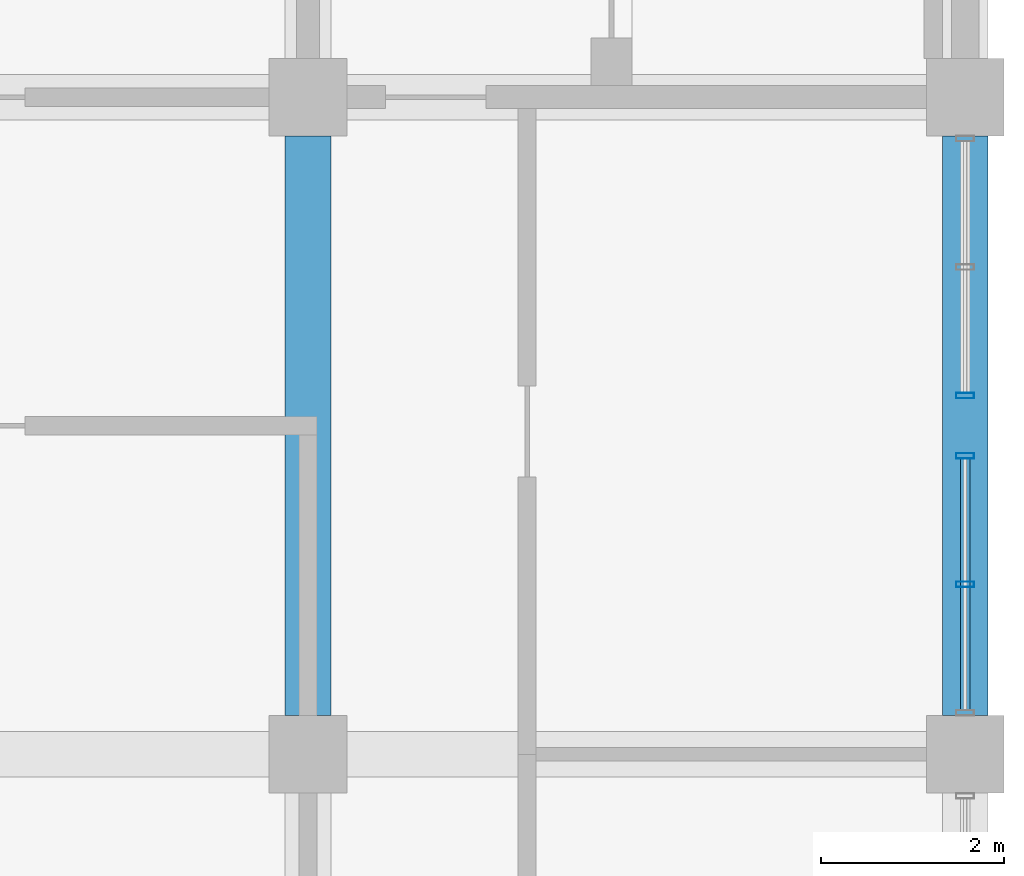
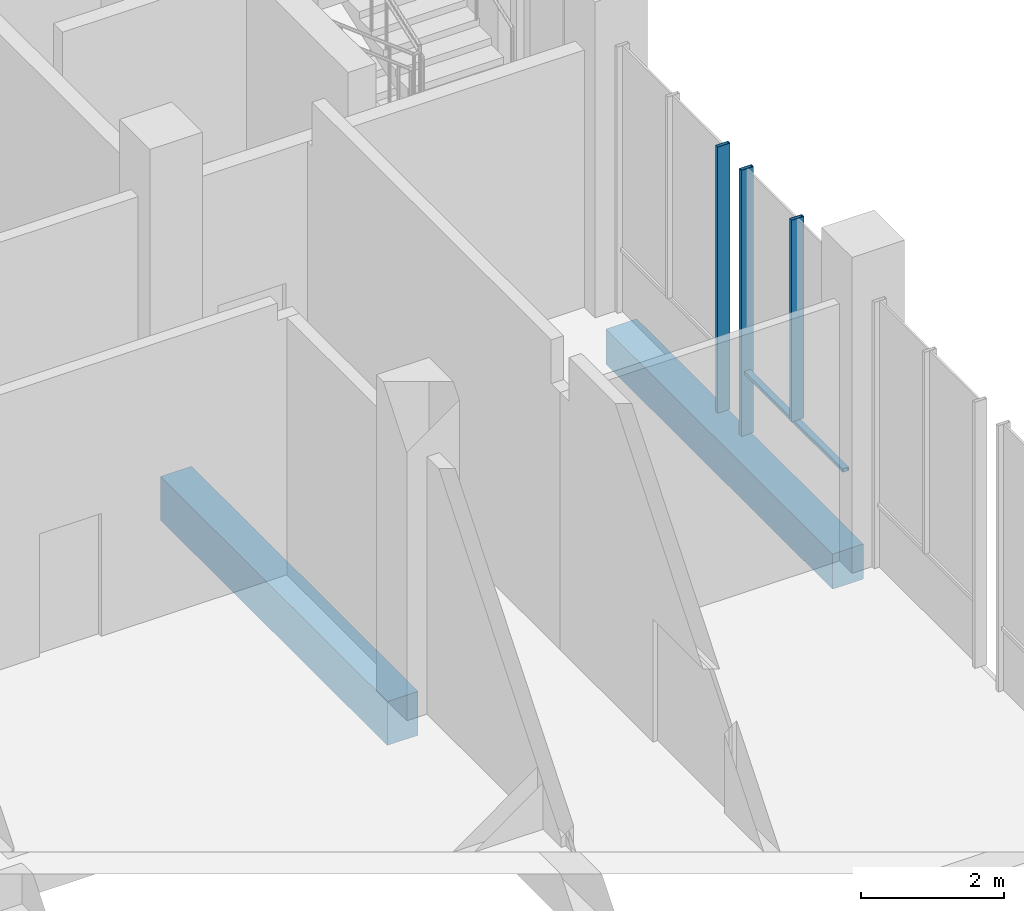
# One storey, part 18 of 48: 4 members, 2 beams, 2 elements without a shape of their own.
"""IFC4 building model written with IfcOpenShell, lengths in metres."""

from ifc_helpers import new_model, si_unit, direction, frame, origin, origin_2d, place, context, subcontext, project, spatial, rectangle, hollow_rectangle, extrude, material, material_profile, profile_set, type_object, element, aggregate, save


model = new_model("IFC4")

# Units and contexts
model_context = context("Model", 3, precision=1e-05, world=origin(), true_north=direction((0.0, 1.0)))
body_context = subcontext(model_context, "Body", "Model", "MODEL_VIEW")
ifc_project = project(units=[si_unit("LENGTHUNIT", "METRE"), si_unit("AREAUNIT", "SQUARE_METRE"), si_unit("VOLUMEUNIT", "CUBIC_METRE"), si_unit("PLANEANGLEUNIT", "RADIAN"), si_unit("MASSUNIT", "GRAM", prefix="KILO")], contexts=[model_context])

# Site, building, storey
site_placement = place(None, origin())
site = spatial("IfcSite", under=ifc_project, at=site_placement, CompositionType="ELEMENT")
building_placement = place(site_placement, origin())
building = spatial("IfcBuilding", under=site, at=building_placement, Name="Silangan Lancet Faculty of Sciences", CompositionType="ELEMENT")
storey_placement = place(building_placement, frame((0.0, 0.0, 6.0)))
storey = spatial("IfcBuildingStorey", under=building, at=storey_placement, Name="L01", CompositionType="ELEMENT", Elevation=6.0)

# Beams
ifc_material_1 = material(Name="Concrete C40/50", Category="concrete")
ifc_material_profile_1 = material_profile(ifc_material_1, rectangle(XDim=0.5, YDim=0.60009765625, at=origin_2d()), Name="RC 500x600")
ifc_profile_set_1 = profile_set([ifc_material_profile_1], Name="Concrete C40/50")
beam_type_1 = type_object("IfcBeamType", Name="BEAM RC 500x600", PredefinedType="BEAM", material=ifc_profile_set_1)
beam_1_placement = place(storey_placement, frame((86.39990234375, 43.625, -0.550048828125), z_axis=(0.0, 1.0, 0.0), x_axis=(-1.0, 0.0, 0.0)))
element("IfcBeam", 1, at=beam_1_placement, inside=storey, type_object=beam_type_1, Name="BM-L01-13G-13H", PredefinedType="BEAM", context=body_context, shape_type="SweptSolid", body=[
    extrude(rectangle(XDim=0.5, YDim=0.60009765625, at=origin_2d()), origin(), (0.0, 0.0, 1.0), 6.35009765625),
])
ifc_material_2 = material(Name="Concrete C40/50", Category="concrete")
ifc_material_profile_2 = material_profile(ifc_material_2, rectangle(XDim=0.5, YDim=0.75, at=origin_2d()), Name="RC 500x750")
ifc_profile_set_2 = profile_set([ifc_material_profile_2], Name="Concrete C40/50")
beam_type_2 = type_object("IfcBeamType", Name="BEAM RC 500x750", PredefinedType="BEAM", material=ifc_profile_set_2)
beam_2_placement = place(storey_placement, frame((79.199951171875, 43.625, -0.625), z_axis=(0.0, 1.0, 0.0), x_axis=(-1.0, 0.0, 0.0)))
element("IfcBeam", 2, at=beam_2_placement, inside=storey, type_object=beam_type_2, Name="BM-L01-12G-12H", PredefinedType="BEAM", context=body_context, shape_type="SweptSolid", body=[
    extrude(rectangle(XDim=0.5, YDim=0.75, at=origin_2d()), origin(), (0.0, 0.0, 1.0), 6.35009765625),
])

# Curtain wall, members
ifc_material_3 = material(Name="Aluminium framed curtain wall with insulated glass", Category="aluminium")
curtain_wall_type = type_object("IfcCurtainWallType", Name="CW1 Commons and east block glazing", PredefinedType="NOTDEFINED", material=ifc_material_3)
curtain_wall_1_placement = place(storey_placement, origin())
curtain_wall_1 = element("IfcCurtainWall", 3, at=curtain_wall_1_placement, inside=storey, type_object=curtain_wall_type, Name="CW1 East commons L01 bay 11", PredefinedType="NOTDEFINED")
ifc_material_4 = material(Name="Aluminium 6063-T6 extrusion", Category="aluminium")
ifc_material_profile_3 = material_profile(ifc_material_4, hollow_rectangle(XDim=0.06005859375, YDim=0.199951171875, WallThickness=0.00390625, at=origin_2d()), Name="AL BOX 60x200x4")
ifc_profile_set_3 = profile_set([ifc_material_profile_3], Name="Aluminium 6063-T6 extrusion")
member_type_1 = type_object("IfcMemberType", Name="CM1 Mullion 60x200", PredefinedType="MULLION", material=ifc_profile_set_3)
member_1_placement = place(storey_placement, frame((86.39990234375, 46.469970703125, 0.0), z_axis=(0.0, 0.0, 1.0), x_axis=(0.0, 1.0, 0.0)))
member_1 = element("IfcMember", 4, at=member_1_placement, type_object=member_type_1, Name="CW1 East commons L01 bay 11 mullion 2", PredefinedType="MULLION", context=body_context, shape_type="SweptSolid", body=[
    extrude(hollow_rectangle(XDim=0.06005859375, YDim=0.199951171875, WallThickness=0.00390625, at=origin_2d()), origin(), (0.0, 0.0, 1.0), 4.550048828125),
])
member_2_placement = place(storey_placement, frame((86.39990234375, 45.0625, 1.10009765625), z_axis=(0.0, 0.0, 1.0), x_axis=(0.0, 1.0, 0.0)))
member_2 = element("IfcMember", 5, at=member_2_placement, type_object=member_type_1, Name="CW1 East commons L01 bay 11 mullion 3", PredefinedType="MULLION", context=body_context, shape_type="SweptSolid", body=[
    extrude(hollow_rectangle(XDim=0.06005859375, YDim=0.199951171875, WallThickness=0.00390625, at=origin_2d()), origin(), (0.0, 0.0, 1.0), 3.449951171875),
])

# Curtain wall, member
curtain_wall_2_placement = place(storey_placement, origin())
curtain_wall_2 = element("IfcCurtainWall", 6, at=curtain_wall_2_placement, inside=storey, type_object=curtain_wall_type, Name="CW1 East commons L01 bay 12", PredefinedType="NOTDEFINED")
member_3_placement = place(storey_placement, frame((86.39990234375, 47.1298828125, 0.0), z_axis=(0.0, 0.0, 1.0), x_axis=(0.0, 1.0, 0.0)))
member_3 = element("IfcMember", 7, at=member_3_placement, type_object=member_type_1, Name="CW1 East commons L01 bay 12 mullion 1", PredefinedType="MULLION", context=body_context, shape_type="SweptSolid", body=[
    extrude(hollow_rectangle(XDim=0.06005859375, YDim=0.199951171875, WallThickness=0.00390625, at=origin_2d()), origin(), (0.0, 0.0, 1.0), 4.550048828125),
])
aggregate(curtain_wall_2, [member_3])

# Member
ifc_material_5 = material(Name="Aluminium 6063-T6 extrusion", Category="aluminium")
ifc_material_profile_4 = material_profile(ifc_material_5, hollow_rectangle(XDim=0.10009765625, YDim=0.06005859375, WallThickness=0.0029296875, at=origin_2d()), Name="AL BOX 100x60x3")
ifc_profile_set_4 = profile_set([ifc_material_profile_4], Name="Aluminium 6063-T6 extrusion")
member_type_2 = type_object("IfcMemberType", Name="CT1 Transom 100x60", PredefinedType="USERDEFINED", material=ifc_profile_set_4)
member_4_placement = place(storey_placement, frame((86.39990234375, 43.68505859375, 1.070068359375), z_axis=(0.0, 1.0, 0.0), x_axis=(-1.0, 0.0, 0.0)))
member_4 = element("IfcMember", 8, at=member_4_placement, type_object=member_type_2, Name="CW1 East commons L01 bay 11 transom 1", ObjectType="TRANSOM", PredefinedType="USERDEFINED", context=body_context, shape_type="SweptSolid", body=[
    extrude(hollow_rectangle(XDim=0.10009765625, YDim=0.06005859375, WallThickness=0.0029296875, at=origin_2d()), origin(), (0.0, 0.0, 1.0), 2.7548828125),
])

aggregate(curtain_wall_1, [member_1, member_2, member_4])

save(model, "model.ifc")
